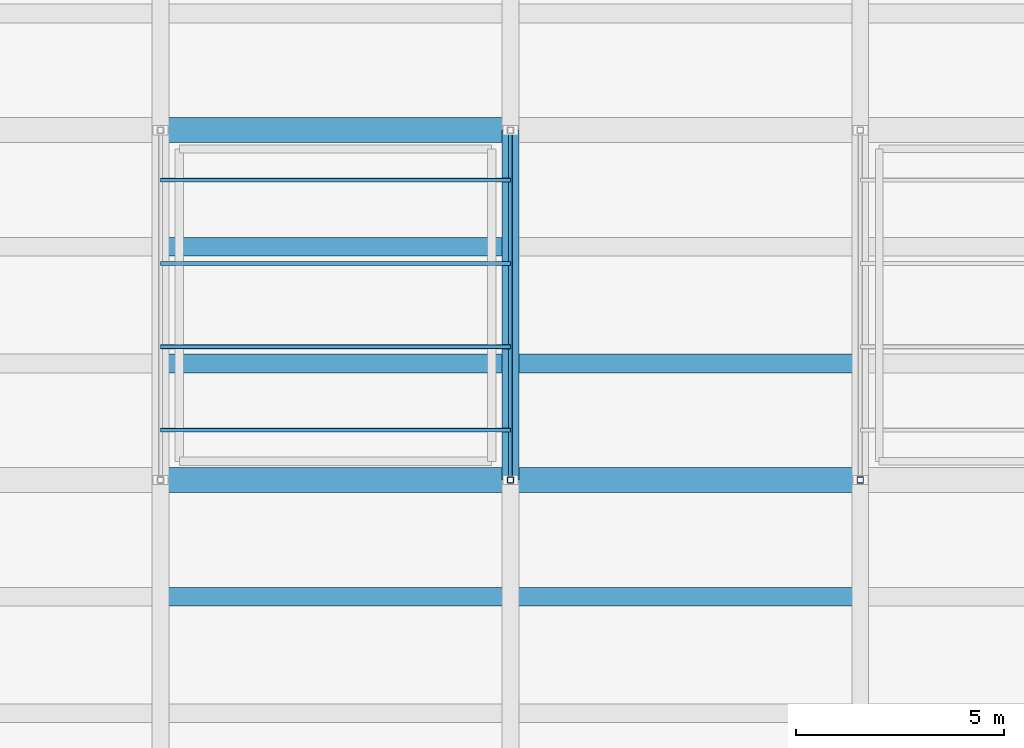
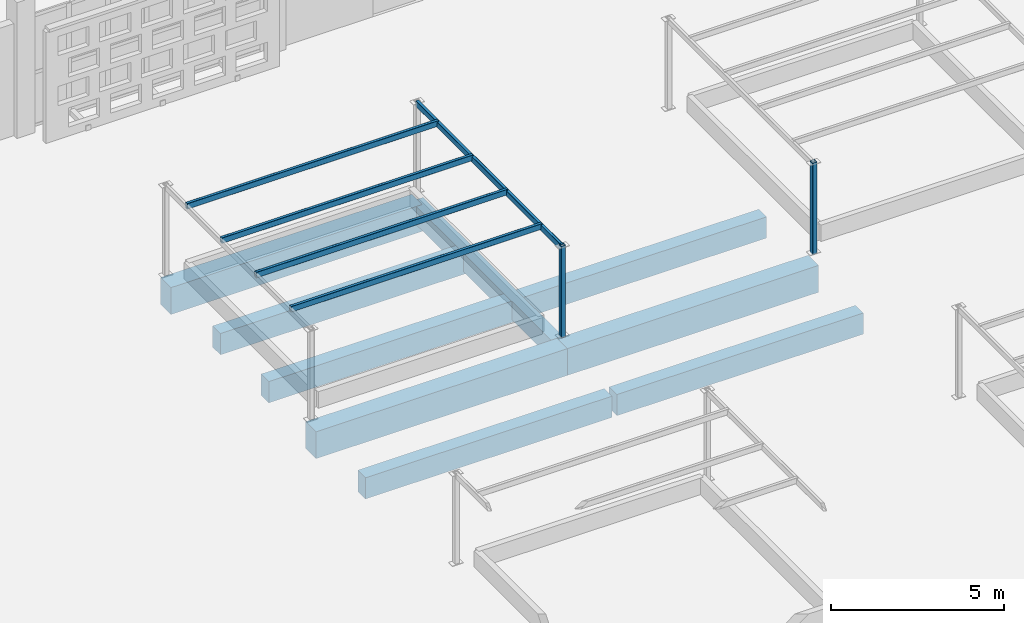
# One storey, part 30 of 129: 9 beams, 7 members.
"""IFC4 building model written with IfcOpenShell, lengths in metres."""

from ifc_helpers import new_model, si_unit, direction, frame, origin, origin_2d, place, context, subcontext, project, spatial, rectangle, hollow_rectangle, extrude, material, material_profile, profile_set, type_object, element, save


model = new_model("IFC4")

# Units and contexts
model_context = context("Model", 3, precision=1e-05, world=origin(), true_north=direction((0.0, 1.0)))
body_context = subcontext(model_context, "Body", "Model", "MODEL_VIEW")
ifc_project = project(units=[si_unit("LENGTHUNIT", "METRE"), si_unit("AREAUNIT", "SQUARE_METRE"), si_unit("VOLUMEUNIT", "CUBIC_METRE"), si_unit("PLANEANGLEUNIT", "RADIAN"), si_unit("MASSUNIT", "GRAM", prefix="KILO")], contexts=[model_context])

# Site, building, storey
site_placement = place(None, origin())
site = spatial("IfcSite", under=ifc_project, at=site_placement, CompositionType="ELEMENT")
building_placement = place(site_placement, origin())
building = spatial("IfcBuilding", under=site, at=building_placement, Name="Varnapada Polytechnic", CompositionType="ELEMENT")
storey_placement = place(building_placement, origin())
storey = spatial("IfcBuildingStorey", under=building, at=storey_placement, Name="L00", CompositionType="ELEMENT", Elevation=0.0)

# Beams
ifc_material_1 = material(Name="Concrete C40/50", Category="concrete")
ifc_material_profile_1 = material_profile(ifc_material_1, rectangle(XDim=0.449951171875, YDim=0.75, at=origin_2d()), Name="RC 450x750")
ifc_profile_set_1 = profile_set([ifc_material_profile_1], Name="Concrete C40/50")
beam_type_1 = type_object("IfcBeamType", Name="Basement/podium secondary beam BB-01 (RC 450x750)", PredefinedType="BEAM", material=ifc_profile_set_1)
for number, where, z_axis, x_axis, name in (
    (1, (92.47998046875, 64.39990234375, -0.655029296875), (1.0, 0.0, 0.0), (0.0, 1.0, 0.0), "L00 floor joist 12/8.2"),
    (2, (92.47998046875, 70.0, -0.655029296875), (1.0, 0.0, 0.0), (0.0, 1.0, 0.0), "L00 floor joist 12/9.1"),
    (3, (92.47998046875, 72.800048828125, -0.655029296875), (1.0, 0.0, 0.0), (0.0, 1.0, 0.0), "L00 floor joist 12/9.2"),
):
    element("IfcBeam", number, at=place(storey_placement, frame(where, z_axis=z_axis, x_axis=x_axis)), inside=storey, type_object=beam_type_1, Name=name, PredefinedType="BEAM", context=body_context, shape_type="SweptSolid", body=[
        extrude(rectangle(XDim=0.449951171875, YDim=0.75, at=origin_2d()), origin(), (0.0, 0.0, 1.0), 8.239990234375),
    ])
for number, where, z_axis, x_axis, name in (
    (4, (100.8798828125, 64.39990234375, -0.655029296875), (1.0, 0.0, 0.0), (0.0, 1.0, 0.0), "L00 floor joist 13/8.2"),
    (5, (100.8798828125, 70.0, -0.655029296875), (1.0, 0.0, 0.0), (0.0, 1.0, 0.0), "L00 floor joist 13/9.1"),
):
    element("IfcBeam", number, at=place(storey_placement, frame(where, z_axis=z_axis, x_axis=x_axis)), inside=storey, type_object=beam_type_1, Name=name, PredefinedType="BEAM", context=body_context, shape_type="SweptSolid", body=[
        extrude(rectangle(XDim=0.449951171875, YDim=0.75, at=origin_2d()), origin(), (0.0, 0.0, 1.0), 8.240234375),
    ])

# Members
ifc_material_2 = material(Name="Steel S355", Category="steel")
ifc_material_profile_2 = material_profile(ifc_material_2, hollow_rectangle(XDim=0.10009765625, YDim=0.199951171875, WallThickness=0.00634765625, InnerFilletRadius=0.006103515625, OuterFilletRadius=0.011962890625, at=origin_2d()), Name="RHS 200x100x6.3")
ifc_profile_set_2 = profile_set([ifc_material_profile_2], Name="Steel S355")
member_type_1 = type_object("IfcMemberType", Name="Gable and library roof steel purlin PR-01 (RHS 200x100x6.3)", PredefinedType="PURLIN", material=ifc_profile_set_2)
for number, where, z_axis, x_axis, name in (
    (6, (100.800048828125, 67.199951171875, 3.1201171875), (0.0, 1.0, 0.0), (-1.0, 0.0, 0.0), "Courtyard planted garden pergola girder CT-BED-5.2"),
    (7, (92.39990234375, 68.39990234375, 3.159912109375), (1.0, 0.0, 0.0), (0.0, 1.0, 0.0), "Courtyard planted garden shade trellis CT-BED-5.1"),
    (8, (92.39990234375, 70.39990234375, 3.159912109375), (1.0, 0.0, 0.0), (0.0, 1.0, 0.0), "Courtyard planted garden shade trellis CT-BED-5.2"),
    (9, (92.39990234375, 72.39990234375, 3.159912109375), (1.0, 0.0, 0.0), (0.0, 1.0, 0.0), "Courtyard planted garden shade trellis CT-BED-5.3"),
    (10, (92.39990234375, 74.39990234375, 3.159912109375), (1.0, 0.0, 0.0), (0.0, 1.0, 0.0), "Courtyard planted garden shade trellis CT-BED-5.4"),
):
    element("IfcMember", number, at=place(storey_placement, frame(where, z_axis=z_axis, x_axis=x_axis)), inside=storey, type_object=member_type_1, Name=name, PredefinedType="PURLIN", context=body_context, shape_type="SweptSolid", body=[
        extrude(hollow_rectangle(XDim=0.10009765625, YDim=0.199951171875, WallThickness=0.00634765625, InnerFilletRadius=0.006103515625, OuterFilletRadius=0.011962890625, at=origin_2d()), origin(), (0.0, 0.0, 1.0), 8.400146484375),
    ])

# Beam
ifc_material_profile_3 = material_profile(ifc_material_1, rectangle(XDim=0.39990234375, YDim=0.64990234375, at=origin_2d()), Name="RC 400x650")
ifc_profile_set_3 = profile_set([ifc_material_profile_3], Name="Concrete C40/50")
beam_type_2 = type_object("IfcBeamType", Name="Podium framing beam BB-02 (RC 400x650)", PredefinedType="BEAM", material=ifc_profile_set_3)
beam_1_placement = place(storey_placement, frame((100.800048828125, 67.199951171875, -0.60498046875), z_axis=(0.0, 1.0, 0.0), x_axis=(-1.0, 0.0, 0.0)))
element("IfcBeam", 11, at=beam_1_placement, inside=storey, type_object=beam_type_2, Name="L00 beam Y 9-10 at X13", PredefinedType="BEAM", context=body_context, shape_type="SweptSolid", body=[
    extrude(rectangle(XDim=0.39990234375, YDim=0.64990234375, at=origin_2d()), origin(), (0.0, 0.0, 1.0), 8.400146484375),
])

# Members
ifc_material_profile_4 = material_profile(ifc_material_2, hollow_rectangle(XDim=0.14990234375, YDim=0.14990234375, WallThickness=0.00634765625, InnerFilletRadius=0.006103515625, OuterFilletRadius=0.011962890625, at=origin_2d()), Name="SHS 150x150x6.3")
ifc_profile_set_4 = profile_set([ifc_material_profile_4], Name="Steel S355")
member_type_2 = type_object("IfcMemberType", Name="Sawtooth north-light mullion post SFP-02 (SHS 150x150x6.3)", PredefinedType="POST", material=ifc_profile_set_4)
for number, where, z_axis, x_axis, name in (
    (12, (100.800048828125, 67.199951171875, -0.02001953125), (0.0, 0.0, 1.0), (1.0, 0.0, 0.0), "Courtyard planted garden trellis post CT-BED-5.2.1"),
    (13, (109.199951171875, 67.199951171875, -0.02001953125), (0.0, 0.0, 1.0), (1.0, 0.0, 0.0), "Courtyard planted garden trellis post CT-BED-6.1.1"),
):
    element("IfcMember", number, at=place(storey_placement, frame(where, z_axis=z_axis, x_axis=x_axis)), inside=storey, type_object=member_type_2, Name=name, PredefinedType="POST", context=body_context, shape_type="SweptSolid", body=[
        extrude(hollow_rectangle(XDim=0.14990234375, YDim=0.14990234375, WallThickness=0.00634765625, InnerFilletRadius=0.006103515625, OuterFilletRadius=0.011962890625, at=origin_2d()), origin(), (0.0, 0.0, 1.0), 3.239990234375),
    ])

# Beams
ifc_material_profile_5 = material_profile(ifc_material_1, rectangle(XDim=0.60009765625, YDim=0.949951171875, at=origin_2d()), Name="RC 600x950")
ifc_profile_set_5 = profile_set([ifc_material_profile_5], Name="Concrete C40/50")
beam_type_3 = type_object("IfcBeamType", Name="Workshop podium heavy girder BG-03 (RC 600x950)", PredefinedType="T_BEAM", material=ifc_profile_set_5)
for number, where, z_axis, x_axis, name in (
    (14, (92.39990234375, 67.199951171875, -0.7548828125), (1.0, 0.0, 0.0), (0.0, 1.0, 0.0), "L00 beam X 12-13 at Y9"),
    (15, (92.39990234375, 75.60009765625, -0.7548828125), (1.0, 0.0, 0.0), (0.0, 1.0, 0.0), "L00 beam X 12-13 at Y10"),
):
    element("IfcBeam", number, at=place(storey_placement, frame(where, z_axis=z_axis, x_axis=x_axis)), inside=storey, type_object=beam_type_3, Name=name, PredefinedType="T_BEAM", context=body_context, shape_type="SweptSolid", body=[
        extrude(rectangle(XDim=0.60009765625, YDim=0.949951171875, at=origin_2d()), origin(), (0.0, 0.0, 1.0), 8.400146484375),
    ])
beam_2_placement = place(storey_placement, frame((100.800048828125, 67.199951171875, -0.7548828125), z_axis=(1.0, 0.0, 0.0), x_axis=(0.0, 1.0, 0.0)))
element("IfcBeam", 16, at=beam_2_placement, inside=storey, type_object=beam_type_3, Name="L00 beam X 13-14 at Y9", PredefinedType="T_BEAM", context=body_context, shape_type="SweptSolid", body=[
    extrude(rectangle(XDim=0.60009765625, YDim=0.949951171875, at=origin_2d()), origin(), (0.0, 0.0, 1.0), 8.39990234375),
])

save(model, "model.ifc")
